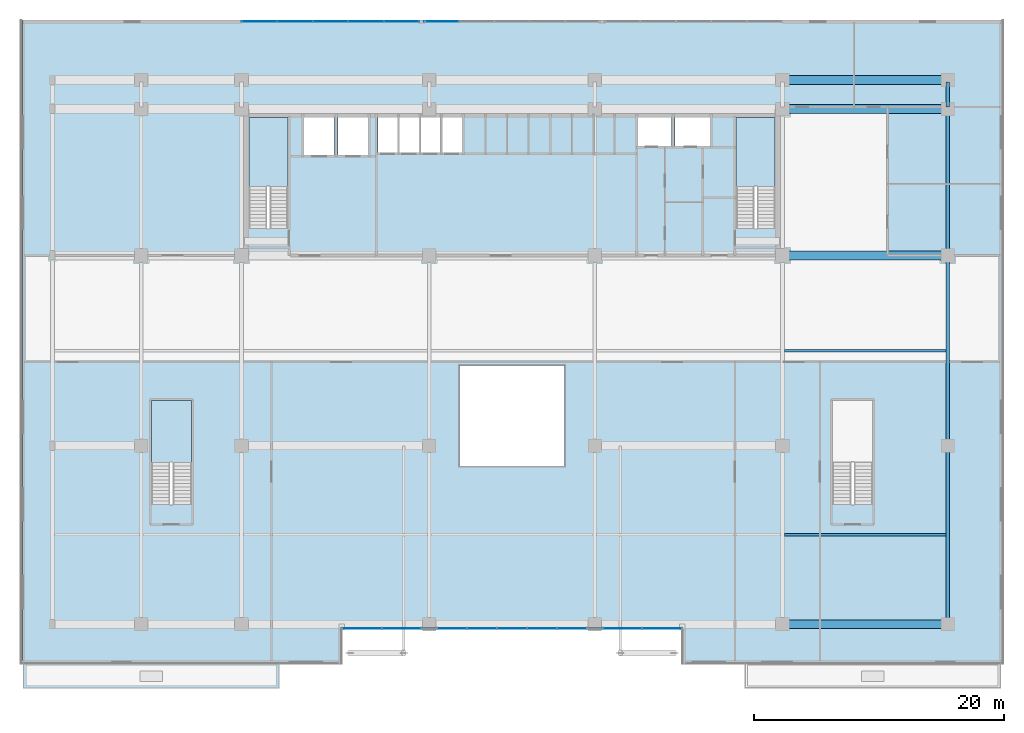
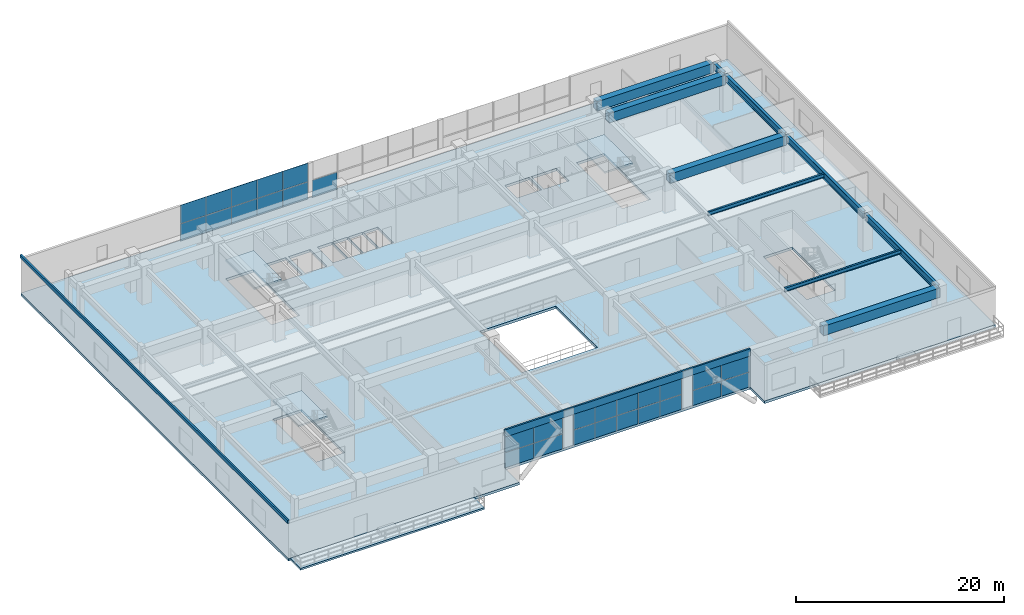
# One storey, part 12 of 24: 31 plates, 10 beams, 5 slabs, 8 elements without a shape of their own.
"""IFC4 building model written with IfcOpenShell, lengths in metres."""

from ifc_helpers import new_model, si_unit, direction, frame, origin, origin_2d, place, context, subcontext, project, spatial, polyline, rectangle, i_section, outline, extrude, source, transform, mapped, material, layer, layer_set, material_profile, profile_set, type_object, element, aggregate, save


model = new_model("IFC4")

# Units and contexts
model_context = context("Model", 3, precision=1e-05, world=origin(), true_north=direction((0.0, 1.0)))
body_context = subcontext(model_context, "Body", "Model", "MODEL_VIEW")
ifc_project = project(units=[si_unit("LENGTHUNIT", "METRE"), si_unit("AREAUNIT", "SQUARE_METRE"), si_unit("VOLUMEUNIT", "CUBIC_METRE"), si_unit("PLANEANGLEUNIT", "RADIAN"), si_unit("MASSUNIT", "GRAM", prefix="KILO")], contexts=[model_context])

# Site, building, storey
site_placement = place(None, origin())
site = spatial("IfcSite", under=ifc_project, at=site_placement, CompositionType="ELEMENT")
building_placement = place(site_placement, origin())
building = spatial("IfcBuilding", under=site, at=building_placement, Name="Trelvane Seafront Commons", CompositionType="ELEMENT")
storey_placement = place(building_placement, frame((0.0, 0.0, 9.699951171875)))
storey = spatial("IfcBuildingStorey", under=building, at=storey_placement, Name="L02", CompositionType="ELEMENT", Elevation=9.699951171875)

# Beams
ifc_material_1 = material(Name="Concrete C50/60", Category="concrete")
ifc_material_profile_1 = material_profile(ifc_material_1, rectangle(XDim=0.699951171875, YDim=1.10009765625, at=origin_2d()), Name="RC-700x1100")
ifc_profile_set_1 = profile_set([ifc_material_profile_1], Name="Concrete C50/60")
beam_type_1 = type_object("IfcBeamType", Name="STR-TBM-RC700x1100", PredefinedType="T_BEAM", material=ifc_profile_set_1)
shared_shape_1 = source(origin(), body_context, "Body", "SweptSolid", [
    extrude(rectangle(XDim=0.699951171875, YDim=1.10009765625, at=origin_2d()), origin(), (0.0, 0.0, 1.0), 12.900146484375),
])
for number, where, z_axis, x_axis, name in (
    (1, (58.949951171875, 3.949951171875, 3.650146484375), (1.0, 0.0, 0.0), (0.0, 1.0, 0.0), "L02 Primary Girder G-06"),
    (2, (58.949951171875, 33.39990234375, 3.650146484375), (1.0, 0.0, 0.0), (0.0, 1.0, 0.0), "L02 Primary Girder G-18"),
    (3, (58.949951171875, 45.10009765625, 3.650146484375), (1.0, 0.0, 0.0), (0.0, 1.0, 0.0), "L02 Primary Girder G-24"),
    (4, (58.949951171875, 47.39990234375, 3.650146484375), (1.0, 0.0, 0.0), (0.0, 1.0, 0.0), "L02 Primary Girder G-30"),
):
    element("IfcBeam", number, at=place(storey_placement, frame(where, z_axis=z_axis, x_axis=x_axis)), inside=storey, type_object=beam_type_1, Name=name, PredefinedType="T_BEAM", context=body_context, shape_type="MappedRepresentation", body=[
        mapped(shared_shape_1, transform((0.0, 0.0, 0.0), x_axis=(1.0, 0.0, 0.0), y_axis=(0.0, 1.0, 0.0), z_axis=(0.0, 0.0, 1.0), scale=1.0)),
    ])
ifc_material_2 = material(Name="Steel SM355 (S355)", Category="steel")
ifc_material_profile_2 = material_profile(ifc_material_2, i_section(OverallWidth=0.300048828125, OverallDepth=0.800048828125, WebThickness=0.013916015625, FlangeThickness=0.02587890625, at=origin_2d()), Name="H-800x300x14x26")
ifc_profile_set_2 = profile_set([ifc_material_profile_2], Name="Steel SM355 (S355)")
beam_type_2 = type_object("IfcBeamType", Name="STR-BM-H800", PredefinedType="BEAM", material=ifc_profile_set_2)
shared_shape_2 = source(origin(), body_context, "Body", "SweptSolid", [
    extrude(i_section(OverallWidth=0.300048828125, OverallDepth=0.800048828125, WebThickness=0.013916015625, FlangeThickness=0.02587890625, at=origin_2d()), origin(), (0.0, 0.0, 1.0), 13.949951171875),
])
beam_1_placement = place(storey_placement, frame((72.0, 4.10009765625, 3.800048828125), z_axis=(0.0, 1.0, 0.0), x_axis=(-1.0, 0.0, 0.0)))
element("IfcBeam", 5, at=beam_1_placement, inside=storey, type_object=beam_type_2, Name="L02 Primary Girder G-55", PredefinedType="BEAM", context=body_context, shape_type="MappedRepresentation", body=[
    mapped(shared_shape_2, transform((0.0, 0.0, 0.0), x_axis=(1.0, 0.0, 0.0), y_axis=(0.0, 1.0, 0.0), z_axis=(0.0, 0.0, 1.0), scale=1.0)),
])
shared_shape_3 = source(origin(), body_context, "Body", "SweptSolid", [
    extrude(i_section(OverallWidth=0.300048828125, OverallDepth=0.800048828125, WebThickness=0.013916015625, FlangeThickness=0.02587890625, at=origin_2d()), origin(), (0.0, 0.0, 1.0), 14.89990234375),
])
beam_2_placement = place(storey_placement, frame((72.0, 18.35009765625, 3.800048828125), z_axis=(0.0, 1.0, 0.0), x_axis=(-1.0, 0.0, 0.0)))
element("IfcBeam", 6, at=beam_2_placement, inside=storey, type_object=beam_type_2, Name="L02 Primary Girder G-56", PredefinedType="BEAM", context=body_context, shape_type="MappedRepresentation", body=[
    mapped(shared_shape_3, transform((0.0, 0.0, 0.0), x_axis=(1.0, 0.0, 0.0), y_axis=(0.0, 1.0, 0.0), z_axis=(0.0, 0.0, 1.0), scale=1.0)),
])
shared_shape_4 = source(origin(), body_context, "Body", "SweptSolid", [
    extrude(i_section(OverallWidth=0.300048828125, OverallDepth=0.800048828125, WebThickness=0.013916015625, FlangeThickness=0.02587890625, at=origin_2d()), origin(), (0.0, 0.0, 1.0), 11.39990234375),
])
beam_3_placement = place(storey_placement, frame((72.0, 33.550048828125, 3.800048828125), z_axis=(0.0, 1.0, 0.0), x_axis=(-1.0, 0.0, 0.0)))
element("IfcBeam", 7, at=beam_3_placement, inside=storey, type_object=beam_type_2, Name="L02 Primary Girder G-57", PredefinedType="BEAM", context=body_context, shape_type="MappedRepresentation", body=[
    mapped(shared_shape_4, transform((0.0, 0.0, 0.0), x_axis=(1.0, 0.0, 0.0), y_axis=(0.0, 1.0, 0.0), z_axis=(0.0, 0.0, 1.0), scale=1.0)),
])
shared_shape_5 = source(origin(), body_context, "Body", "SweptSolid", [
    extrude(i_section(OverallWidth=0.300048828125, OverallDepth=0.800048828125, WebThickness=0.013916015625, FlangeThickness=0.02587890625, at=origin_2d()), origin(), (0.0, 0.0, 1.0), 2.0),
])
beam_4_placement = place(storey_placement, frame((72.0, 45.25, 3.800048828125), z_axis=(0.0, 1.0, 0.0), x_axis=(-1.0, 0.0, 0.0)))
element("IfcBeam", 8, at=beam_4_placement, inside=storey, type_object=beam_type_2, Name="L02 Primary Girder G-58", PredefinedType="BEAM", context=body_context, shape_type="MappedRepresentation", body=[
    mapped(shared_shape_5, transform((0.0, 0.0, 0.0), x_axis=(1.0, 0.0, 0.0), y_axis=(0.0, 1.0, 0.0), z_axis=(0.0, 0.0, 1.0), scale=1.0)),
])
ifc_material_profile_3 = material_profile(ifc_material_2, i_section(OverallWidth=0.199951171875, OverallDepth=0.449951171875, WebThickness=0.009033203125, FlangeThickness=0.013916015625, at=origin_2d()), Name="H-450x200x9x14")
ifc_profile_set_3 = profile_set([ifc_material_profile_3], Name="Steel SM355 (S355)")
beam_type_3 = type_object("IfcBeamType", Name="STR-JST-H450", PredefinedType="JOIST", material=ifc_profile_set_3)
shared_shape_6 = source(origin(), body_context, "Body", "SweptSolid", [
    extrude(i_section(OverallWidth=0.199951171875, OverallDepth=0.449951171875, WebThickness=0.009033203125, FlangeThickness=0.013916015625, at=origin_2d()), origin(), (0.0, 0.0, 1.0), 12.900146484375),
])
for number, where, z_axis, x_axis, name in (
    (9, (58.949951171875, 11.074951171875, 3.97509765625), (1.0, 0.0, 0.0), (0.0, 1.0, 0.0), "L02 Secondary Floor Joist B-64"),
    (10, (58.949951171875, 25.800048828125, 3.97509765625), (1.0, 0.0, 0.0), (0.0, 1.0, 0.0), "L02 Secondary Floor Joist B-70"),
):
    element("IfcBeam", number, at=place(storey_placement, frame(where, z_axis=z_axis, x_axis=x_axis)), inside=storey, type_object=beam_type_3, Name=name, PredefinedType="JOIST", context=body_context, shape_type="MappedRepresentation", body=[
        mapped(shared_shape_6, transform((0.0, 0.0, 0.0), x_axis=(1.0, 0.0, 0.0), y_axis=(0.0, 1.0, 0.0), z_axis=(0.0, 0.0, 1.0), scale=1.0)),
    ])

# Stair, slab
ifc_material_3 = material(Name="Concrete C40/50", Category="concrete")
stair_type_1 = type_object("IfcStairType", Name="ARCH-STR-ST-1-R26-173", PredefinedType="HALF_TURN_STAIR", material=ifc_material_3)
stair_1_placement = place(storey_placement, origin())
stair_1 = element("IfcStair", 11, at=stair_1_placement, inside=storey, type_object=stair_type_1, Name="L02 West Protected Firefighting Exit Stair ST-1", PredefinedType="HALF_TURN_STAIR")
ifc_layer_1 = layer(ifc_material_3, 0.199951171875, Name="ARCH-LND-200")
ifc_layer_set_1 = layer_set([ifc_layer_1], Name="Concrete C40/50")
slab_type_1 = type_object("IfcSlabType", Name="ARCH-LND-200", PredefinedType="LANDING", material=ifc_layer_set_1)
slab_1_placement = place(storey_placement, frame((0.0, 0.0, 2.050048828125)))
slab_1 = element("IfcSlab", 12, at=slab_1_placement, type_object=slab_type_1, Name="ST-1 landing 1", PredefinedType="LANDING", context=body_context, shape_type="SweptSolid", body=[
    extrude(outline(polyline([(19.300048828125, 38.909912109375), (19.300048828125, 44.39990234375), (16.199951171875, 44.39990234375), (16.199951171875, 38.909912109375), (19.300048828125, 38.909912109375)])), origin(), (0.0, 0.0, 1.0), 0.199951171875),
])
aggregate(stair_1, [slab_1])

stair_type_2 = type_object("IfcStairType", Name="ARCH-STR-ST-2-R26-173", PredefinedType="HALF_TURN_STAIR", material=ifc_material_3)
stair_2_placement = place(storey_placement, origin())
stair_2 = element("IfcStair", 13, at=stair_2_placement, inside=storey, type_object=stair_type_2, Name="L02 East Protected Firefighting Exit Stair ST-2", PredefinedType="HALF_TURN_STAIR")
slab_2_placement = place(storey_placement, frame((0.0, 0.0, 2.050048828125)))
slab_2 = element("IfcSlab", 14, at=slab_2_placement, type_object=slab_type_1, Name="ST-2 landing 1", PredefinedType="LANDING", context=body_context, shape_type="SweptSolid", body=[
    extrude(outline(polyline([(58.199951171875, 38.909912109375), (58.199951171875, 44.39990234375), (55.10009765625, 44.39990234375), (55.10009765625, 38.909912109375), (58.199951171875, 38.909912109375)])), origin(), (0.0, 0.0, 1.0), 0.199951171875),
])
aggregate(stair_2, [slab_2])

stair_type_3 = type_object("IfcStairType", Name="ARCH-STR-ST-3-R26-173", PredefinedType="HALF_TURN_STAIR", material=ifc_material_3)
stair_3_placement = place(storey_placement, origin())
stair_3 = element("IfcStair", 15, at=stair_3_placement, inside=storey, type_object=stair_type_3, Name="L02 Podium Commons West Promenade Stair ST-3", PredefinedType="HALF_TURN_STAIR")
slab_3_placement = place(storey_placement, frame((0.0, 0.0, 2.050048828125)))
slab_3 = element("IfcSlab", 16, at=slab_3_placement, type_object=slab_type_1, Name="ST-3 landing 1", PredefinedType="LANDING", context=body_context, shape_type="SweptSolid", body=[
    extrude(outline(polyline([(11.60009765625, 16.860107421875), (11.60009765625, 21.800048828125), (8.39990234375, 21.800048828125), (8.39990234375, 16.860107421875), (11.60009765625, 16.860107421875)])), origin(), (0.0, 0.0, 1.0), 0.199951171875),
])
aggregate(stair_3, [slab_3])

# Slabs
ifc_layer_2 = layer(ifc_material_3, 0.2099609375, Name="ARCH-TERR-210")
ifc_layer_set_2 = layer_set([ifc_layer_2], Name="Concrete C40/50")
slab_type_2 = type_object("IfcSlabType", Name="ARCH-TERR-210", PredefinedType="FLOOR", material=ifc_layer_set_2)
slab_4_placement = place(storey_placement, frame((0.0, 0.0, -0.2099609375)))
element("IfcSlab", 17, at=slab_4_placement, inside=storey, type_object=slab_type_2, Name="L02 Podium SW Seafront Promenade Terrace Deck", PredefinedType="FLOOR", context=body_context, shape_type="SweptSolid", body=[
    extrude(outline(polyline([(-1.800048828125, -1.199951171875), (18.60009765625, -1.199951171875), (18.60009765625, 0.800048828125), (-1.800048828125, 0.800048828125), (-1.800048828125, -1.199951171875)])), origin(), (0.0, 0.0, 1.0), 0.2099609375),
])
ifc_layer_3 = layer(ifc_material_1, 0.300048828125, Name="STR-SLB-P300")
ifc_layer_set_3 = layer_set([ifc_layer_3], Name="Concrete C50/60")
slab_type_3 = type_object("IfcSlabType", Name="STR-SLB-P300", PredefinedType="FLOOR", material=ifc_layer_set_3)
slab_5_placement = place(storey_placement, frame((0.0, 0.0, -0.300048828125)))
element("IfcSlab", 18, at=slab_5_placement, inside=storey, type_object=slab_type_3, Name="L02 Structural Floor Slab", PredefinedType="FLOOR", context=body_context, shape_type="SweptSolid", body=[
    extrude(outline(polyline([(-2.0, 0.800048828125), (23.60009765625, 0.800048828125), (23.60009765625, 3.60009765625), (50.800048828125, 3.60009765625), (50.800048828125, 0.800048828125), (76.39990234375, 0.800048828125), (76.39990234375, 52.199951171875), (-2.0, 52.199951171875), (-2.0, 0.800048828125)]), holes=[polyline([(11.60009765625, 13.5), (8.39990234375, 13.5), (8.39990234375, 21.800048828125), (11.60009765625, 21.800048828125), (11.60009765625, 13.5)]), polyline([(16.199951171875, 35.550048828125), (16.199951171875, 44.39990234375), (19.300048828125, 44.39990234375), (19.300048828125, 35.550048828125), (16.199951171875, 35.550048828125)]), polyline([(20.60009765625, 41.39990234375), (20.60009765625, 44.60009765625), (23.0, 44.60009765625), (23.0, 41.39990234375), (20.60009765625, 41.39990234375)]), polyline([(25.699951171875, 41.39990234375), (23.300048828125, 41.39990234375), (23.300048828125, 44.60009765625), (25.699951171875, 44.60009765625), (25.699951171875, 41.39990234375)]), polyline([(26.5, 41.60009765625), (26.5, 44.60009765625), (28.1201171875, 44.60009765625), (28.1201171875, 41.60009765625), (26.5, 41.60009765625)]), polyline([(28.199951171875, 41.60009765625), (28.199951171875, 44.60009765625), (29.820068359375, 44.60009765625), (29.820068359375, 41.60009765625), (28.199951171875, 41.60009765625)]), polyline([(31.52001953125, 41.60009765625), (29.89990234375, 41.60009765625), (29.89990234375, 44.60009765625), (31.52001953125, 44.60009765625), (31.52001953125, 41.60009765625)]), polyline([(62.800048828125, 13.5), (62.800048828125, 21.800048828125), (66.0, 21.800048828125), (66.0, 13.5), (62.800048828125, 13.5)]), polyline([(33.0, 16.60009765625), (33.0, 24.60009765625), (41.39990234375, 24.60009765625), (41.39990234375, 16.60009765625), (33.0, 16.60009765625)]), polyline([(55.10009765625, 35.550048828125), (55.10009765625, 44.39990234375), (58.199951171875, 44.39990234375), (58.199951171875, 35.550048828125), (55.10009765625, 35.550048828125)]), polyline([(31.60009765625, 41.60009765625), (31.60009765625, 44.60009765625), (33.219970703125, 44.60009765625), (33.219970703125, 41.60009765625), (31.60009765625, 41.60009765625)]), polyline([(47.25, 42.14990234375), (47.25, 44.550048828125), (49.949951171875, 44.550048828125), (49.949951171875, 42.14990234375), (47.25, 42.14990234375)]), polyline([(50.199951171875, 42.14990234375), (50.199951171875, 44.550048828125), (53.0, 44.550048828125), (53.0, 42.14990234375), (50.199951171875, 42.14990234375)])]), origin(), (0.0, 0.0, 1.0), 0.300048828125),
])

# Curtain wall, plates
ifc_material_4 = material(Name="Anodised pale-silver aluminium", Category="aluminium")
curtain_wall_type = type_object("IfcCurtainWallType", Name="ARCH-CW1-PODIUM", PredefinedType="NOTDEFINED", material=ifc_material_4)
curtain_wall_1_placement = place(storey_placement, origin())
curtain_wall_1 = element("IfcCurtainWall", 19, at=curtain_wall_1_placement, inside=storey, type_object=curtain_wall_type, Name="CW-L02-0013", PredefinedType="NOTDEFINED")
ifc_material_5 = material(Name="Low-E coastal double glazing", Category="glass")
ifc_layer_4 = layer(ifc_material_5, 0.033935546875, Name="ARCH-CW-GLAZ-34")
ifc_layer_set_4 = layer_set([ifc_layer_4], Name="Low-E coastal double glazing")
plate_type_1 = type_object("IfcPlateType", Name="ARCH-CW-GLAZ-34", PredefinedType="CURTAIN_PANEL", material=ifc_layer_set_4)
shared_shape_7 = source(origin(), body_context, "Body", "SweptSolid", [
    extrude(rectangle(XDim=2.81591796875, YDim=0.035888671875, at=origin_2d()), origin(), (0.0, 0.0, 1.0), 1.998046875),
])
plate_1_placement = place(storey_placement, frame((17.02001953125, 52.070068359375, 0.0), z_axis=(0.0, 0.0, 1.0), x_axis=(1.0, 0.0, 0.0)))
plate_1 = element("IfcPlate", 20, at=plate_1_placement, type_object=plate_type_1, Name="CW-L02-0013-P00-1", PredefinedType="CURTAIN_PANEL", context=body_context, shape_type="MappedRepresentation", body=[
    mapped(shared_shape_7, transform((0.0, 0.0, 0.0), x_axis=(1.0, 0.0, 0.0), y_axis=(0.0, 1.0, 0.0), z_axis=(0.0, 0.0, 1.0), scale=1.0)),
])
plate_2_placement = place(storey_placement, frame((19.860107421875, 52.070068359375, 0.0), z_axis=(0.0, 0.0, 1.0), x_axis=(1.0, 0.0, 0.0)))
plate_2 = element("IfcPlate", 21, at=plate_2_placement, type_object=plate_type_1, Name="CW-L02-0013-P01-1", PredefinedType="CURTAIN_PANEL", context=body_context, shape_type="MappedRepresentation", body=[
    mapped(shared_shape_7, transform((0.0, 0.0, 0.0), x_axis=(1.0, 0.0, 0.0), y_axis=(0.0, 1.0, 0.0), z_axis=(0.0, 0.0, 1.0), scale=1.0)),
])
plate_3_placement = place(storey_placement, frame((22.699951171875, 52.070068359375, 0.0), z_axis=(0.0, 0.0, 1.0), x_axis=(1.0, 0.0, 0.0)))
plate_3 = element("IfcPlate", 22, at=plate_3_placement, type_object=plate_type_1, Name="CW-L02-0013-P02-1", PredefinedType="CURTAIN_PANEL", context=body_context, shape_type="MappedRepresentation", body=[
    mapped(shared_shape_7, transform((0.0, 0.0, 0.0), x_axis=(1.0, 0.0, 0.0), y_axis=(0.0, 1.0, 0.0), z_axis=(0.0, 0.0, 1.0), scale=1.0)),
])
plate_4_placement = place(storey_placement, frame((25.5400390625, 52.070068359375, 0.0), z_axis=(0.0, 0.0, 1.0), x_axis=(1.0, 0.0, 0.0)))
plate_4 = element("IfcPlate", 23, at=plate_4_placement, type_object=plate_type_1, Name="CW-L02-0013-P03-1", PredefinedType="CURTAIN_PANEL", context=body_context, shape_type="MappedRepresentation", body=[
    mapped(shared_shape_7, transform((0.0, 0.0, 0.0), x_axis=(1.0, 0.0, 0.0), y_axis=(0.0, 1.0, 0.0), z_axis=(0.0, 0.0, 1.0), scale=1.0)),
])
plate_5_placement = place(storey_placement, frame((28.3798828125, 52.070068359375, 0.0), z_axis=(0.0, 0.0, 1.0), x_axis=(1.0, 0.0, 0.0)))
plate_5 = element("IfcPlate", 24, at=plate_5_placement, type_object=plate_type_1, Name="CW-L02-0013-P04-1", PredefinedType="CURTAIN_PANEL", context=body_context, shape_type="MappedRepresentation", body=[
    mapped(shared_shape_7, transform((0.0, 0.0, 0.0), x_axis=(1.0, 0.0, 0.0), y_axis=(0.0, 1.0, 0.0), z_axis=(0.0, 0.0, 1.0), scale=1.0)),
])
shared_shape_8 = source(origin(), body_context, "Body", "SweptSolid", [
    extrude(rectangle(XDim=2.81591796875, YDim=0.035888671875, at=origin_2d()), origin(), (0.0, 0.0, 1.0), 2.166015625),
])
plate_6_placement = place(storey_placement, frame((17.02001953125, 52.070068359375, 2.033935546875), z_axis=(0.0, 0.0, 1.0), x_axis=(1.0, 0.0, 0.0)))
plate_6 = element("IfcPlate", 25, at=plate_6_placement, type_object=plate_type_1, Name="CW-L02-0013-P00-2", PredefinedType="CURTAIN_PANEL", context=body_context, shape_type="MappedRepresentation", body=[
    mapped(shared_shape_8, transform((0.0, 0.0, 0.0), x_axis=(1.0, 0.0, 0.0), y_axis=(0.0, 1.0, 0.0), z_axis=(0.0, 0.0, 1.0), scale=1.0)),
])
plate_7_placement = place(storey_placement, frame((19.860107421875, 52.070068359375, 2.033935546875), z_axis=(0.0, 0.0, 1.0), x_axis=(1.0, 0.0, 0.0)))
plate_7 = element("IfcPlate", 26, at=plate_7_placement, type_object=plate_type_1, Name="CW-L02-0013-P01-2", PredefinedType="CURTAIN_PANEL", context=body_context, shape_type="MappedRepresentation", body=[
    mapped(shared_shape_8, transform((0.0, 0.0, 0.0), x_axis=(1.0, 0.0, 0.0), y_axis=(0.0, 1.0, 0.0), z_axis=(0.0, 0.0, 1.0), scale=1.0)),
])
plate_8_placement = place(storey_placement, frame((22.699951171875, 52.070068359375, 2.033935546875), z_axis=(0.0, 0.0, 1.0), x_axis=(1.0, 0.0, 0.0)))
plate_8 = element("IfcPlate", 27, at=plate_8_placement, type_object=plate_type_1, Name="CW-L02-0013-P02-2", PredefinedType="CURTAIN_PANEL", context=body_context, shape_type="MappedRepresentation", body=[
    mapped(shared_shape_8, transform((0.0, 0.0, 0.0), x_axis=(1.0, 0.0, 0.0), y_axis=(0.0, 1.0, 0.0), z_axis=(0.0, 0.0, 1.0), scale=1.0)),
])
plate_9_placement = place(storey_placement, frame((25.5400390625, 52.070068359375, 2.033935546875), z_axis=(0.0, 0.0, 1.0), x_axis=(1.0, 0.0, 0.0)))
plate_9 = element("IfcPlate", 28, at=plate_9_placement, type_object=plate_type_1, Name="CW-L02-0013-P03-2", PredefinedType="CURTAIN_PANEL", context=body_context, shape_type="MappedRepresentation", body=[
    mapped(shared_shape_8, transform((0.0, 0.0, 0.0), x_axis=(1.0, 0.0, 0.0), y_axis=(0.0, 1.0, 0.0), z_axis=(0.0, 0.0, 1.0), scale=1.0)),
])
plate_10_placement = place(storey_placement, frame((28.3798828125, 52.070068359375, 2.033935546875), z_axis=(0.0, 0.0, 1.0), x_axis=(1.0, 0.0, 0.0)))
plate_10 = element("IfcPlate", 29, at=plate_10_placement, type_object=plate_type_1, Name="CW-L02-0013-P04-2", PredefinedType="CURTAIN_PANEL", context=body_context, shape_type="MappedRepresentation", body=[
    mapped(shared_shape_8, transform((0.0, 0.0, 0.0), x_axis=(1.0, 0.0, 0.0), y_axis=(0.0, 1.0, 0.0), z_axis=(0.0, 0.0, 1.0), scale=1.0)),
])
aggregate(curtain_wall_1, [plate_1, plate_6, plate_2, plate_7, plate_3, plate_8, plate_4, plate_9, plate_5, plate_10])

# Curtain wall, plate
curtain_wall_2_placement = place(storey_placement, origin())
curtain_wall_2 = element("IfcCurtainWall", 30, at=curtain_wall_2_placement, inside=storey, type_object=curtain_wall_type, Name="CW-L02-0014", PredefinedType="NOTDEFINED")
shared_shape_9 = source(origin(), body_context, "Body", "SweptSolid", [
    extrude(rectangle(XDim=2.77587890625, YDim=0.035888671875, at=origin_2d()), origin(), (0.0, 0.0, 1.0), 1.998046875),
])
plate_11_placement = place(storey_placement, frame((31.60009765625, 52.070068359375, 0.0), z_axis=(0.0, 0.0, 1.0), x_axis=(1.0, 0.0, 0.0)))
plate_11 = element("IfcPlate", 31, at=plate_11_placement, type_object=plate_type_1, Name="CW-L02-0014-P00-1", PredefinedType="CURTAIN_PANEL", context=body_context, shape_type="MappedRepresentation", body=[
    mapped(shared_shape_9, transform((0.0, 0.0, 0.0), x_axis=(1.0, 0.0, 0.0), y_axis=(0.0, 1.0, 0.0), z_axis=(0.0, 0.0, 1.0), scale=1.0)),
])
aggregate(curtain_wall_2, [plate_11])

# Plate
ifc_layer_5 = layer(ifc_material_4, 0.179931640625, Name="ARCH-PLATE-AERO")
ifc_layer_set_5 = layer_set([ifc_layer_5], Name="Anodised pale-silver aluminium")
plate_type_2 = type_object("IfcPlateType", Name="ARCH-PLATE-AERO", PredefinedType="SHEET", material=ifc_layer_set_5)
shared_shape_10 = source(origin(), body_context, "Body", "SweptSolid", [
    extrude(rectangle(XDim=51.39990234375, YDim=0.179931640625, at=origin_2d()), origin(), (0.0, 0.0, 1.0), 0.3798828125),
])
plate_12_placement = place(storey_placement, frame((-2.0, 26.5, 4.14013671875), z_axis=(0.0, 0.0, 1.0), x_axis=(0.0, 1.0, 0.0)))
element("IfcPlate", 32, at=plate_12_placement, inside=storey, type_object=plate_type_2, Name="AER-L02-00009", PredefinedType="SHEET", context=body_context, shape_type="MappedRepresentation", body=[
    mapped(shared_shape_10, transform((0.0, 0.0, 0.0), x_axis=(1.0, 0.0, 0.0), y_axis=(0.0, 1.0, 0.0), z_axis=(0.0, 0.0, 1.0), scale=1.0)),
])

# Curtain wall, plates
curtain_wall_3_placement = place(storey_placement, origin())
curtain_wall_3 = element("IfcCurtainWall", 33, at=curtain_wall_3_placement, inside=storey, type_object=curtain_wall_type, Name="CW-L02-VP-0016", PredefinedType="NOTDEFINED")
shared_shape_11 = source(origin(), body_context, "Body", "SweptSolid", [
    extrude(rectangle(XDim=3.176025390625, YDim=0.035888671875, at=origin_2d()), origin(), (0.0, 0.0, 1.0), 1.748046875),
])
plate_13_placement = place(storey_placement, frame((49.199951171875, 3.60009765625, 0.0), z_axis=(0.0, 0.0, 1.0), x_axis=(-1.0, 0.0, 0.0)))
plate_13 = element("IfcPlate", 34, at=plate_13_placement, type_object=plate_type_1, Name="CW-L02-VP-0016-P00-1", PredefinedType="CURTAIN_PANEL", context=body_context, shape_type="MappedRepresentation", body=[
    mapped(shared_shape_11, transform((0.0, 0.0, 0.0), x_axis=(1.0, 0.0, 0.0), y_axis=(0.0, 1.0, 0.0), z_axis=(0.0, 0.0, 1.0), scale=1.0)),
])
plate_14_placement = place(storey_placement, frame((46.0, 3.60009765625, 0.0), z_axis=(0.0, 0.0, 1.0), x_axis=(-1.0, 0.0, 0.0)))
plate_14 = element("IfcPlate", 35, at=plate_14_placement, type_object=plate_type_1, Name="CW-L02-VP-0016-P01-1", PredefinedType="CURTAIN_PANEL", context=body_context, shape_type="MappedRepresentation", body=[
    mapped(shared_shape_11, transform((0.0, 0.0, 0.0), x_axis=(1.0, 0.0, 0.0), y_axis=(0.0, 1.0, 0.0), z_axis=(0.0, 0.0, 1.0), scale=1.0)),
])

curtain_wall_4_placement = place(storey_placement, origin())
curtain_wall_4 = element("IfcCurtainWall", 36, at=curtain_wall_4_placement, inside=storey, type_object=curtain_wall_type, Name="CW-L02-VP-0018", PredefinedType="NOTDEFINED")
plate_15_placement = place(storey_placement, frame((28.39990234375, 3.60009765625, 0.0), z_axis=(0.0, 0.0, 1.0), x_axis=(-1.0, 0.0, 0.0)))
plate_15 = element("IfcPlate", 37, at=plate_15_placement, type_object=plate_type_1, Name="CW-L02-VP-0018-P00-1", PredefinedType="CURTAIN_PANEL", context=body_context, shape_type="MappedRepresentation", body=[
    mapped(shared_shape_11, transform((0.0, 0.0, 0.0), x_axis=(1.0, 0.0, 0.0), y_axis=(0.0, 1.0, 0.0), z_axis=(0.0, 0.0, 1.0), scale=1.0)),
])
plate_16_placement = place(storey_placement, frame((25.199951171875, 3.60009765625, 0.0), z_axis=(0.0, 0.0, 1.0), x_axis=(-1.0, 0.0, 0.0)))
plate_16 = element("IfcPlate", 38, at=plate_16_placement, type_object=plate_type_1, Name="CW-L02-VP-0018-P01-1", PredefinedType="CURTAIN_PANEL", context=body_context, shape_type="MappedRepresentation", body=[
    mapped(shared_shape_11, transform((0.0, 0.0, 0.0), x_axis=(1.0, 0.0, 0.0), y_axis=(0.0, 1.0, 0.0), z_axis=(0.0, 0.0, 1.0), scale=1.0)),
])

# Plate
shared_shape_12 = source(origin(), body_context, "Body", "SweptSolid", [
    extrude(rectangle(XDim=3.176025390625, YDim=0.035888671875, at=origin_2d()), origin(), (0.0, 0.0, 1.0), 1.89599609375),
])
plate_17_placement = place(storey_placement, frame((49.199951171875, 3.60009765625, 1.783935546875), z_axis=(0.0, 0.0, 1.0), x_axis=(-1.0, 0.0, 0.0)))
plate_17 = element("IfcPlate", 39, at=plate_17_placement, type_object=plate_type_1, Name="CW-L02-VP-0016-P00-2", PredefinedType="CURTAIN_PANEL", context=body_context, shape_type="MappedRepresentation", body=[
    mapped(shared_shape_12, transform((0.0, 0.0, 0.0), x_axis=(1.0, 0.0, 0.0), y_axis=(0.0, 1.0, 0.0), z_axis=(0.0, 0.0, 1.0), scale=1.0)),
])

plate_18_placement = place(storey_placement, frame((46.0, 3.60009765625, 1.783935546875), z_axis=(0.0, 0.0, 1.0), x_axis=(-1.0, 0.0, 0.0)))
plate_18 = element("IfcPlate", 40, at=plate_18_placement, type_object=plate_type_1, Name="CW-L02-VP-0016-P01-2", PredefinedType="CURTAIN_PANEL", context=body_context, shape_type="MappedRepresentation", body=[
    mapped(shared_shape_12, transform((0.0, 0.0, 0.0), x_axis=(1.0, 0.0, 0.0), y_axis=(0.0, 1.0, 0.0), z_axis=(0.0, 0.0, 1.0), scale=1.0)),
])

aggregate(curtain_wall_3, [plate_13, plate_17, plate_14, plate_18])

plate_19_placement = place(storey_placement, frame((28.39990234375, 3.60009765625, 1.783935546875), z_axis=(0.0, 0.0, 1.0), x_axis=(-1.0, 0.0, 0.0)))
plate_19 = element("IfcPlate", 41, at=plate_19_placement, type_object=plate_type_1, Name="CW-L02-VP-0018-P00-2", PredefinedType="CURTAIN_PANEL", context=body_context, shape_type="MappedRepresentation", body=[
    mapped(shared_shape_12, transform((0.0, 0.0, 0.0), x_axis=(1.0, 0.0, 0.0), y_axis=(0.0, 1.0, 0.0), z_axis=(0.0, 0.0, 1.0), scale=1.0)),
])

plate_20_placement = place(storey_placement, frame((25.199951171875, 3.60009765625, 1.783935546875), z_axis=(0.0, 0.0, 1.0), x_axis=(-1.0, 0.0, 0.0)))
plate_20 = element("IfcPlate", 42, at=plate_20_placement, type_object=plate_type_1, Name="CW-L02-VP-0018-P01-2", PredefinedType="CURTAIN_PANEL", context=body_context, shape_type="MappedRepresentation", body=[
    mapped(shared_shape_12, transform((0.0, 0.0, 0.0), x_axis=(1.0, 0.0, 0.0), y_axis=(0.0, 1.0, 0.0), z_axis=(0.0, 0.0, 1.0), scale=1.0)),
])

aggregate(curtain_wall_4, [plate_15, plate_19, plate_16, plate_20])

# Curtain wall, plates
curtain_wall_5_placement = place(storey_placement, origin())
curtain_wall_5 = element("IfcCurtainWall", 43, at=curtain_wall_5_placement, inside=storey, type_object=curtain_wall_type, Name="CW-L02-VP-0017", PredefinedType="NOTDEFINED")
shared_shape_13 = source(origin(), body_context, "Body", "SweptSolid", [
    extrude(rectangle(XDim=2.3759765625, YDim=0.035888671875, at=origin_2d()), origin(), (0.0, 0.0, 1.0), 1.748046875),
])
plate_21_placement = place(storey_placement, frame((42.0, 3.60009765625, 0.0), z_axis=(0.0, 0.0, 1.0), x_axis=(-1.0, 0.0, 0.0)))
plate_21 = element("IfcPlate", 44, at=plate_21_placement, type_object=plate_type_1, Name="CW-L02-VP-0017-P00-1", PredefinedType="CURTAIN_PANEL", context=body_context, shape_type="MappedRepresentation", body=[
    mapped(shared_shape_13, transform((0.0, 0.0, 0.0), x_axis=(1.0, 0.0, 0.0), y_axis=(0.0, 1.0, 0.0), z_axis=(0.0, 0.0, 1.0), scale=1.0)),
])
plate_22_placement = place(storey_placement, frame((39.60009765625, 3.60009765625, 0.0), z_axis=(0.0, 0.0, 1.0), x_axis=(-1.0, 0.0, 0.0)))
plate_22 = element("IfcPlate", 45, at=plate_22_placement, type_object=plate_type_1, Name="CW-L02-VP-0017-P01-1", PredefinedType="CURTAIN_PANEL", context=body_context, shape_type="MappedRepresentation", body=[
    mapped(shared_shape_13, transform((0.0, 0.0, 0.0), x_axis=(1.0, 0.0, 0.0), y_axis=(0.0, 1.0, 0.0), z_axis=(0.0, 0.0, 1.0), scale=1.0)),
])
plate_23_placement = place(storey_placement, frame((37.199951171875, 3.60009765625, 0.0), z_axis=(0.0, 0.0, 1.0), x_axis=(-1.0, 0.0, 0.0)))
plate_23 = element("IfcPlate", 46, at=plate_23_placement, type_object=plate_type_1, Name="CW-L02-VP-0017-P02-1", PredefinedType="CURTAIN_PANEL", context=body_context, shape_type="MappedRepresentation", body=[
    mapped(shared_shape_13, transform((0.0, 0.0, 0.0), x_axis=(1.0, 0.0, 0.0), y_axis=(0.0, 1.0, 0.0), z_axis=(0.0, 0.0, 1.0), scale=1.0)),
])
plate_24_placement = place(storey_placement, frame((34.800048828125, 3.60009765625, 0.0), z_axis=(0.0, 0.0, 1.0), x_axis=(-1.0, 0.0, 0.0)))
plate_24 = element("IfcPlate", 47, at=plate_24_placement, type_object=plate_type_1, Name="CW-L02-VP-0017-P03-1", PredefinedType="CURTAIN_PANEL", context=body_context, shape_type="MappedRepresentation", body=[
    mapped(shared_shape_13, transform((0.0, 0.0, 0.0), x_axis=(1.0, 0.0, 0.0), y_axis=(0.0, 1.0, 0.0), z_axis=(0.0, 0.0, 1.0), scale=1.0)),
])
plate_25_placement = place(storey_placement, frame((32.39990234375, 3.60009765625, 0.0), z_axis=(0.0, 0.0, 1.0), x_axis=(-1.0, 0.0, 0.0)))
plate_25 = element("IfcPlate", 48, at=plate_25_placement, type_object=plate_type_1, Name="CW-L02-VP-0017-P04-1", PredefinedType="CURTAIN_PANEL", context=body_context, shape_type="MappedRepresentation", body=[
    mapped(shared_shape_13, transform((0.0, 0.0, 0.0), x_axis=(1.0, 0.0, 0.0), y_axis=(0.0, 1.0, 0.0), z_axis=(0.0, 0.0, 1.0), scale=1.0)),
])
shared_shape_14 = source(origin(), body_context, "Body", "SweptSolid", [
    extrude(rectangle(XDim=2.3759765625, YDim=0.035888671875, at=origin_2d()), origin(), (0.0, 0.0, 1.0), 1.89599609375),
])
plate_26_placement = place(storey_placement, frame((42.0, 3.60009765625, 1.783935546875), z_axis=(0.0, 0.0, 1.0), x_axis=(-1.0, 0.0, 0.0)))
plate_26 = element("IfcPlate", 49, at=plate_26_placement, type_object=plate_type_1, Name="CW-L02-VP-0017-P00-2", PredefinedType="CURTAIN_PANEL", context=body_context, shape_type="MappedRepresentation", body=[
    mapped(shared_shape_14, transform((0.0, 0.0, 0.0), x_axis=(1.0, 0.0, 0.0), y_axis=(0.0, 1.0, 0.0), z_axis=(0.0, 0.0, 1.0), scale=1.0)),
])
plate_27_placement = place(storey_placement, frame((39.60009765625, 3.60009765625, 1.783935546875), z_axis=(0.0, 0.0, 1.0), x_axis=(-1.0, 0.0, 0.0)))
plate_27 = element("IfcPlate", 50, at=plate_27_placement, type_object=plate_type_1, Name="CW-L02-VP-0017-P01-2", PredefinedType="CURTAIN_PANEL", context=body_context, shape_type="MappedRepresentation", body=[
    mapped(shared_shape_14, transform((0.0, 0.0, 0.0), x_axis=(1.0, 0.0, 0.0), y_axis=(0.0, 1.0, 0.0), z_axis=(0.0, 0.0, 1.0), scale=1.0)),
])
plate_28_placement = place(storey_placement, frame((37.199951171875, 3.60009765625, 1.783935546875), z_axis=(0.0, 0.0, 1.0), x_axis=(-1.0, 0.0, 0.0)))
plate_28 = element("IfcPlate", 51, at=plate_28_placement, type_object=plate_type_1, Name="CW-L02-VP-0017-P02-2", PredefinedType="CURTAIN_PANEL", context=body_context, shape_type="MappedRepresentation", body=[
    mapped(shared_shape_14, transform((0.0, 0.0, 0.0), x_axis=(1.0, 0.0, 0.0), y_axis=(0.0, 1.0, 0.0), z_axis=(0.0, 0.0, 1.0), scale=1.0)),
])
plate_29_placement = place(storey_placement, frame((34.800048828125, 3.60009765625, 1.783935546875), z_axis=(0.0, 0.0, 1.0), x_axis=(-1.0, 0.0, 0.0)))
plate_29 = element("IfcPlate", 52, at=plate_29_placement, type_object=plate_type_1, Name="CW-L02-VP-0017-P03-2", PredefinedType="CURTAIN_PANEL", context=body_context, shape_type="MappedRepresentation", body=[
    mapped(shared_shape_14, transform((0.0, 0.0, 0.0), x_axis=(1.0, 0.0, 0.0), y_axis=(0.0, 1.0, 0.0), z_axis=(0.0, 0.0, 1.0), scale=1.0)),
])
plate_30_placement = place(storey_placement, frame((32.39990234375, 3.60009765625, 1.783935546875), z_axis=(0.0, 0.0, 1.0), x_axis=(-1.0, 0.0, 0.0)))
plate_30 = element("IfcPlate", 53, at=plate_30_placement, type_object=plate_type_1, Name="CW-L02-VP-0017-P04-2", PredefinedType="CURTAIN_PANEL", context=body_context, shape_type="MappedRepresentation", body=[
    mapped(shared_shape_14, transform((0.0, 0.0, 0.0), x_axis=(1.0, 0.0, 0.0), y_axis=(0.0, 1.0, 0.0), z_axis=(0.0, 0.0, 1.0), scale=1.0)),
])
aggregate(curtain_wall_5, [plate_21, plate_26, plate_22, plate_27, plate_23, plate_28, plate_24, plate_29, plate_25, plate_30])

# Plate
shared_shape_15 = source(origin(), body_context, "Body", "SweptSolid", [
    extrude(rectangle(XDim=27.199951171875, YDim=0.179931640625, at=origin_2d()), origin(), (0.0, 0.0, 1.0), 0.840087890625),
])
plate_31_placement = place(storey_placement, frame((37.199951171875, 3.60009765625, 3.66015625), z_axis=(0.0, 0.0, 1.0), x_axis=(-1.0, 0.0, 0.0)))
element("IfcPlate", 54, at=plate_31_placement, inside=storey, type_object=plate_type_2, Name="AER-L02-VP-00008", PredefinedType="SHEET", context=body_context, shape_type="MappedRepresentation", body=[
    mapped(shared_shape_15, transform((0.0, 0.0, 0.0), x_axis=(1.0, 0.0, 0.0), y_axis=(0.0, 1.0, 0.0), z_axis=(0.0, 0.0, 1.0), scale=1.0)),
])

save(model, "model.ifc")
